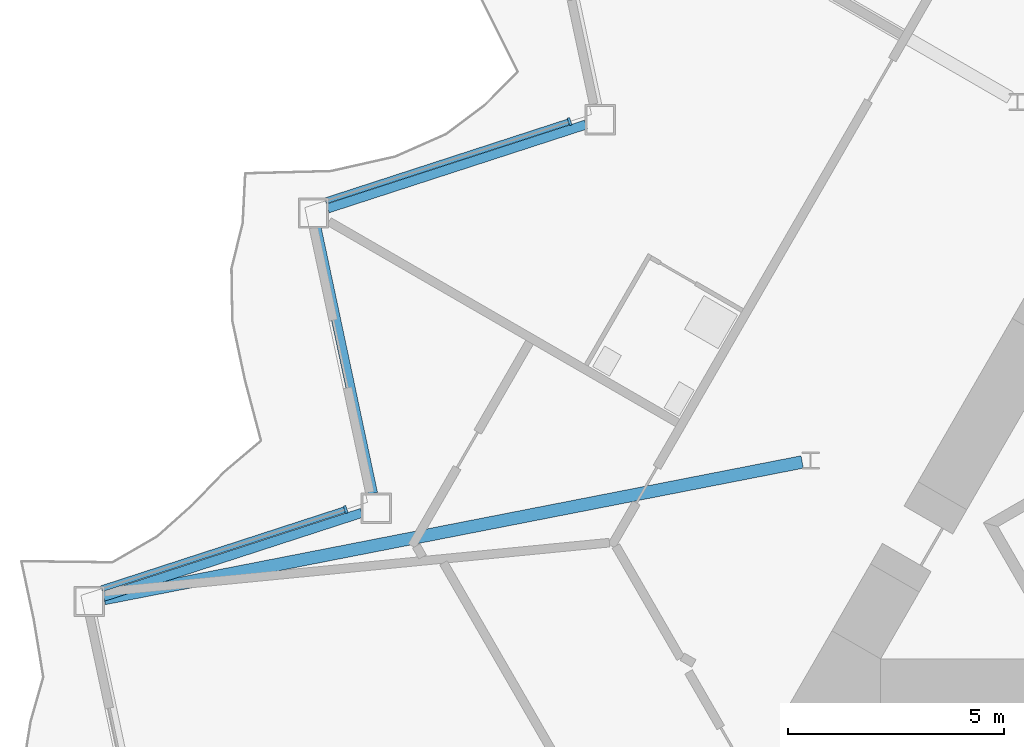
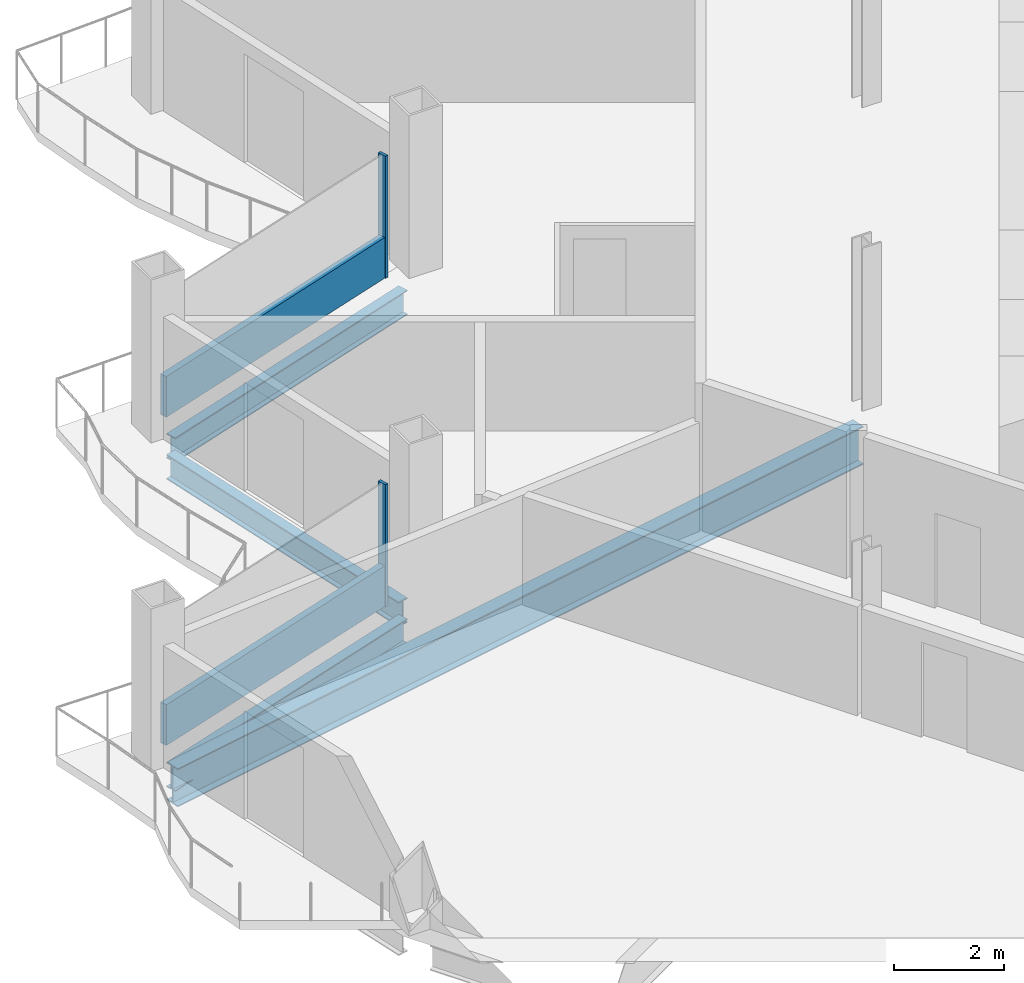
# One storey, part 5 of 23: 4 beams, 4 members, 2 elements without a shape of their own.
"""IFC4 building model written with IfcOpenShell, lengths in metres."""

from ifc_helpers import new_model, si_unit, direction, frame, origin, origin_2d, place, context, subcontext, project, spatial, rectangle, i_section, extrude, material, layer, layer_set, material_profile, profile_set, type_object, element, aggregate, save


model = new_model("IFC4")

# Units and contexts
model_context = context("Model", 3, precision=1e-05, world=origin(), true_north=direction((0.0, 1.0)))
body_context = subcontext(model_context, "Body", "Model", "MODEL_VIEW")
ifc_project = project(units=[si_unit("LENGTHUNIT", "METRE"), si_unit("AREAUNIT", "SQUARE_METRE"), si_unit("VOLUMEUNIT", "CUBIC_METRE"), si_unit("PLANEANGLEUNIT", "RADIAN"), si_unit("MASSUNIT", "GRAM", prefix="KILO")], contexts=[model_context])

# Site, building, storey
site_placement = place(None, origin())
site = spatial("IfcSite", under=ifc_project, at=site_placement, CompositionType="ELEMENT")
building_placement = place(site_placement, origin())
building = spatial("IfcBuilding", under=site, at=building_placement, Name="Cormorant Prow Tower", CompositionType="ELEMENT")
storey_placement = place(building_placement, frame((0.0, 0.0, 263.39990234375)))
storey = spatial("IfcBuildingStorey", under=building, at=storey_placement, Name="L59", CompositionType="ELEMENT", Elevation=263.39990234375)

# Curtain wall, member
ifc_material_1 = material(Name="Aluminium 6063-T6", Category="aluminium")
ifc_layer = layer(ifc_material_1, 0.179931640625)
ifc_layer_set = layer_set([ifc_layer], Name="Aluminium 6063-T6")
curtain_wall_type = type_object("IfcCurtainWallType", Name="Hotel unitised curtain wall 180", PredefinedType="NOTDEFINED", material=ifc_layer_set)
curtain_wall_1_placement = place(storey_placement, origin())
curtain_wall_1 = element("IfcCurtainWall", 1, at=curtain_wall_1_placement, inside=storey, type_object=curtain_wall_type, Name="Hotel curtain wall WNW06", PredefinedType="NOTDEFINED")
ifc_material_2 = material(Name="Aluminium 6063-T6", Category="aluminium")
ifc_material_profile_1 = material_profile(ifc_material_2, rectangle(XDim=0.179931640625, YDim=0.06005859375, at=origin_2d()), Name="Hotel mullion 60x180")
ifc_profile_set_1 = profile_set([ifc_material_profile_1], Name="Aluminium 6063-T6")
member_type_1 = type_object("IfcMemberType", Name="Hotel mullion 60x180", PredefinedType="MULLION", material=ifc_profile_set_1)
member_1_placement = place(storey_placement, frame((-19.946044921875, 5.07568359375, 0.0), z_axis=(0.0, 0.0, 1.0), x_axis=(0.309016997828, -0.951056515173, 0.0)))
member_1 = element("IfcMember", 2, at=member_1_placement, type_object=member_type_1, Name="Hotel mullion WNW06", PredefinedType="MULLION", context=body_context, shape_type="SweptSolid", body=[
    extrude(rectangle(XDim=0.179931640625, YDim=0.06005859375, at=origin_2d()), origin(), (0.0, 0.0, 1.0), 2.700927734375),
])

curtain_wall_2_placement = place(storey_placement, origin())
curtain_wall_2 = element("IfcCurtainWall", 3, at=curtain_wall_2_placement, inside=storey, type_object=curtain_wall_type, Name="Hotel curtain wall WNW08", PredefinedType="NOTDEFINED")
member_2_placement = place(storey_placement, frame((-25.128662109375, -3.90087890625, 0.0), z_axis=(0.0, 0.0, 1.0), x_axis=(0.309016997828, -0.951056515173, 0.0)))
member_2 = element("IfcMember", 4, at=member_2_placement, type_object=member_type_1, Name="Hotel mullion WNW08", PredefinedType="MULLION", context=body_context, shape_type="SweptSolid", body=[
    extrude(rectangle(XDim=0.179931640625, YDim=0.06005859375, at=origin_2d()), origin(), (0.0, 0.0, 1.0), 2.700927734375),
])

# Member
ifc_material_3 = material(Name="Terracotta", Category="masonry")
ifc_material_profile_2 = material_profile(ifc_material_3, rectangle(XDim=0.139892578125, YDim=0.89990234375, at=origin_2d()), Name="Hotel terracotta spandrel rail 140x900")
ifc_profile_set_2 = profile_set([ifc_material_profile_2], Name="Terracotta")
member_type_2 = type_object("IfcMemberType", Name="Hotel terracotta spandrel rail 140x900", PredefinedType="USERDEFINED", material=ifc_profile_set_2)
member_3_placement = place(storey_placement, frame((-19.974609375, 5.06640625, 0.4501953125), z_axis=(-0.951055309952, -0.309020707094, 0.0), x_axis=(0.309020707094, -0.951055309952, 0.0)))
member_3 = element("IfcMember", 5, at=member_3_placement, type_object=member_type_2, Name="Hotel spandrel rail WNW06", ObjectType="TRANSOM", PredefinedType="USERDEFINED", context=body_context, shape_type="SweptSolid", body=[
    extrude(rectangle(XDim=0.139892578125, YDim=0.89990234375, at=origin_2d()), origin(), (0.0, 0.0, 1.0), 5.911865234375),
])

aggregate(curtain_wall_1, [member_1, member_3])

member_4_placement = place(storey_placement, frame((-25.1572265625, -3.91015625, 0.4501953125), z_axis=(-0.951055309952, -0.309020707094, 0.0), x_axis=(0.309020707094, -0.951055309952, 0.0)))
member_4 = element("IfcMember", 6, at=member_4_placement, type_object=member_type_2, Name="Hotel spandrel rail WNW08", ObjectType="TRANSOM", PredefinedType="USERDEFINED", context=body_context, shape_type="SweptSolid", body=[
    extrude(rectangle(XDim=0.139892578125, YDim=0.89990234375, at=origin_2d()), origin(), (0.0, 0.0, 1.0), 5.911865234375),
])

aggregate(curtain_wall_2, [member_2, member_4])

# Beams
ifc_material_4 = material(Name="Structural steel ASTM A992 Gr 50", Category="steel")
ifc_material_profile_3 = material_profile(ifc_material_4, i_section(OverallWidth=0.29296875, OverallDepth=0.845703125, WebThickness=0.015380859375, FlangeThickness=0.0244140625, at=origin_2d()), Name="W33x141")
ifc_profile_set_3 = profile_set([ifc_material_profile_3], Name="Structural steel ASTM A992 Gr 50")
beam_type_1 = type_object("IfcBeamType", Name="Radial floor beam W33x141", PredefinedType="BEAM", material=ifc_profile_set_3)
beam_placement = place(storey_placement, frame((-14.5634765625, -2.80322265625, -0.772705078125), z_axis=(-0.981419133752, -0.191876220269, 0.0), x_axis=(0.191876220269, -0.981419133752, 0.0)))
element("IfcBeam", 7, at=beam_placement, inside=storey, type_object=beam_type_1, Name="Radial floor beam FB2 4 L59", PredefinedType="BEAM", context=body_context, shape_type="SweptSolid", body=[
    extrude(i_section(OverallWidth=0.29296875, OverallDepth=0.845703125, WebThickness=0.015380859375, FlangeThickness=0.0244140625, at=origin_2d()), origin(), (0.0, 0.0, 1.0), 16.462158203125),
])
ifc_material_5 = material(Name="Structural steel ASTM A992 Gr 50", Category="steel")
ifc_material_profile_4 = material_profile(ifc_material_5, i_section(OverallWidth=0.2138671875, OverallDepth=0.549072265625, WebThickness=0.0146484375, FlangeThickness=0.023681640625, at=origin_2d()), Name="W21x93")
ifc_profile_set_4 = profile_set([ifc_material_profile_4], Name="Structural steel ASTM A992 Gr 50")
beam_type_2 = type_object("IfcBeamType", Name="Spandrel beam W21x93", PredefinedType="SPANDREL", material=ifc_profile_set_4)
for number, where, z_axis, x_axis, name in (
    (8, (-19.568115234375, 5.00634765625, -0.62451171875), (-0.951061771288, -0.309000820701, 0.0), (0.309000820701, -0.951061771288, 0.0), "Spandrel beam SB2 WNW06-WNW07 L59"),
    (9, (-25.80224609375, 2.61474609375, -0.62451171875), (0.207941499013, -0.978141264331, 0.0), (0.978141264331, 0.207941499013, 0.0), "Spandrel beam SB2 WNW07-WNW08 L59"),
    (10, (-24.75634765625, -3.97998046875, -0.62451171875), (-0.951061771288, -0.309000820701, 0.0), (0.309000820701, -0.951061771288, 0.0), "Spandrel beam SB2 WNW08-WNW09 L59"),
):
    element("IfcBeam", number, at=place(storey_placement, frame(where, z_axis=z_axis, x_axis=x_axis)), inside=storey, type_object=beam_type_2, Name=name, PredefinedType="SPANDREL", context=body_context, shape_type="SweptSolid", body=[
        extrude(i_section(OverallWidth=0.2138671875, OverallDepth=0.549072265625, WebThickness=0.0146484375, FlangeThickness=0.023681640625, at=origin_2d()), origin(), (0.0, 0.0, 1.0), 6.28125),
    ])

save(model, "model.ifc")
